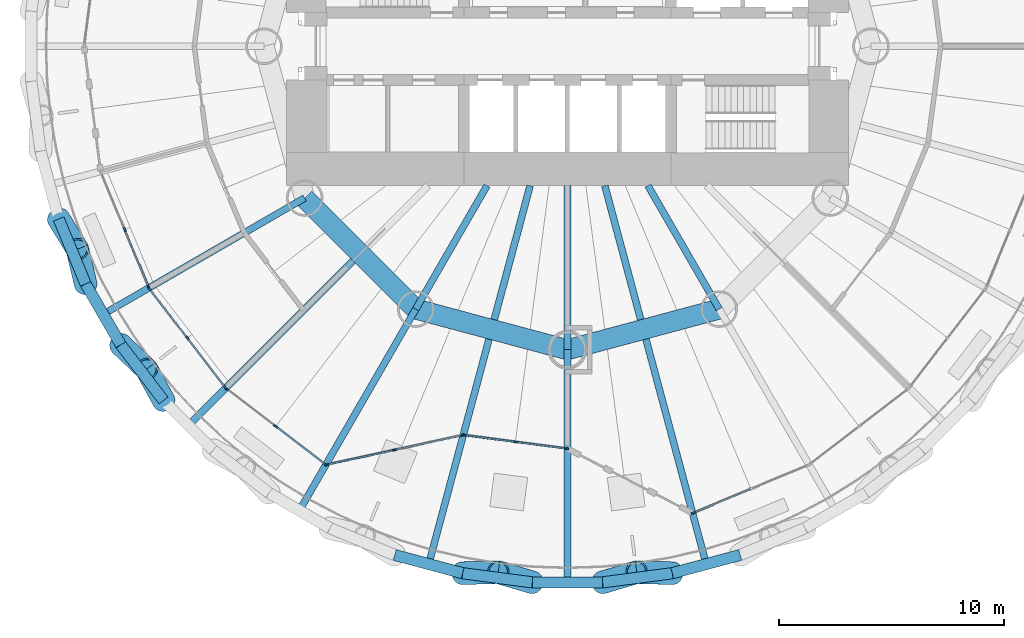
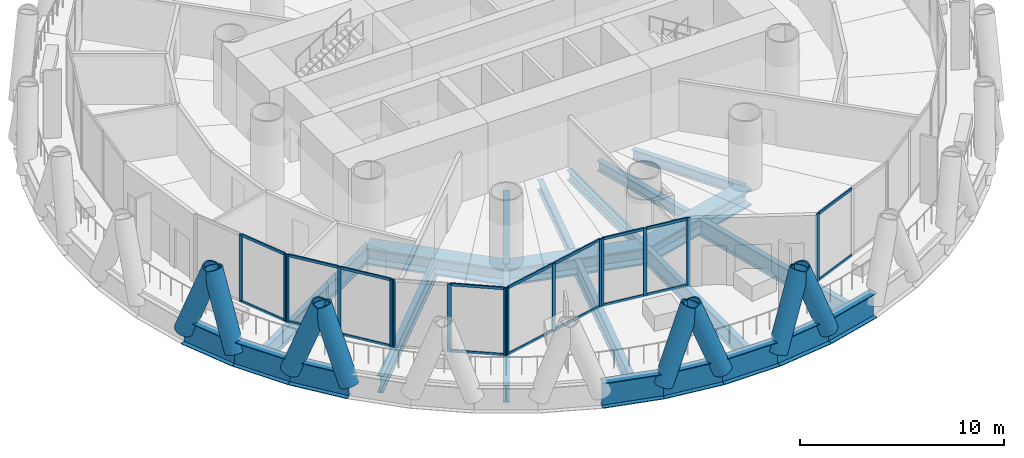
# One storey, part 2 of 15: 41 members, 22 beams, 6 elements without a shape of their own.
"""IFC4 building model written with IfcOpenShell, lengths in metres."""

import ifcopenshell
import ifcopenshell.guid

model = None  # the IFC model being written
_history = None  # IfcOwnerHistory: only IFC2X3 demands one
_inside = {}  # id of a spatial element -> (the spatial element, [elements in it])
_under = {}  # id of a project, library or spatial element -> (it, [spatial elements below it])
_declared = {}  # id of a project -> (the project, [libraries it declares])
_typed = {}  # id of a type object -> (the type object, [elements of that type])
_made_of = {}  # id of a material, layer set ... -> (it, [elements and type objects made of it])


def new_model(schema):
    """Start an empty IFC model of exactly this schema.

    Asked for "IFC4X3", IfcOpenShell would pick the latest addendum, in which some entities
    have other attributes; the version numbers below select the first issue.
    IFC2X3 requires an IfcOwnerHistory on every rooted entity: one is made here for all.
    """
    global model, _history
    if schema == "IFC4X3":
        model = ifcopenshell.file(schema_version=(4, 3, 0, 0))
    else:
        model = ifcopenshell.file(schema=schema)
    _inside.clear()
    _under.clear()
    _declared.clear()
    _typed.clear()
    _made_of.clear()
    _history = None
    if model.schema == "IFC2X3":
        org = make("IfcOrganization", Name="unknown")
        user = make(
            "IfcPersonAndOrganization",
            ThePerson=make("IfcPerson", FamilyName="unknown"),
            TheOrganization=org,
        )
        app = make(
            "IfcApplication",
            ApplicationDeveloper=org,
            Version="unknown",
            ApplicationFullName="unknown",
            ApplicationIdentifier="unknown",
        )
        _history = make(
            "IfcOwnerHistory",
            OwningUser=user,
            OwningApplication=app,
            ChangeAction="ADDED",
            CreationDate=0,
        )
    return model


def make(cls, **values):
    """One entity of the class cls with the attributes given. An attribute that is None is left unset."""
    return model.create_entity(
        cls, **{name: value for name, value in values.items() if value is not None}
    )


def rooted(cls, **values):
    """An entity with a GlobalId (a new one), such as an element, a storey or a relation."""
    return make(cls, GlobalId=ifcopenshell.guid.new(), OwnerHistory=_history, **values)


def si_unit(unit_type, name, prefix=None):
    """IfcSIUnit, for example si_unit("LENGTHUNIT", "METRE", prefix="MILLI")."""
    return make("IfcSIUnit", UnitType=unit_type, Prefix=prefix, Name=name)


def assignment(units):
    """IfcUnitAssignment: the units of a project."""
    return None if units is None else make("IfcUnitAssignment", Units=units)


def point(xyz):
    """IfcCartesianPoint."""
    return None if xyz is None else make("IfcCartesianPoint", Coordinates=xyz)


def direction(xyz):
    """IfcDirection."""
    return None if xyz is None else make("IfcDirection", DirectionRatios=xyz)


def frame(location, z_axis=None, x_axis=None):
    """IfcAxis2Placement3D, a coordinate frame: its origin and axes. An axis left out is left unset."""
    return make(
        "IfcAxis2Placement3D",
        Location=point(location),
        Axis=direction(z_axis),
        RefDirection=direction(x_axis),
    )


def frame_2d(location, x_axis=None):
    """IfcAxis2Placement2D, a coordinate frame in the plane: its origin and x axis."""
    return make(
        "IfcAxis2Placement2D", Location=point(location), RefDirection=direction(x_axis)
    )


def origin():
    """The frame at (0, 0, 0) with its axes left unset."""
    return frame((0.0, 0.0, 0.0))


def origin_2d():
    """The frame at (0, 0) in the plane with its x axis left unset."""
    return frame_2d((0.0, 0.0))


def place(relative_to, where):
    """IfcLocalPlacement: puts the frame where relative to a parent placement (None: the world)."""
    return make(
        "IfcLocalPlacement", PlacementRelTo=relative_to, RelativePlacement=where
    )


def context(
    kind, dimensions, precision=None, world=None, true_north=None, identifier=None
):
    """IfcGeometricRepresentationContext, for example the 3D "Model" context."""
    return make(
        "IfcGeometricRepresentationContext",
        ContextIdentifier=identifier,
        ContextType=kind,
        CoordinateSpaceDimension=dimensions,
        Precision=precision,
        WorldCoordinateSystem=world,
        TrueNorth=true_north,
    )


def subcontext(parent, identifier, kind, view, scale=None):
    """IfcGeometricRepresentationSubContext, for example "Body" below "Model"."""
    return make(
        "IfcGeometricRepresentationSubContext",
        ContextIdentifier=identifier,
        ContextType=kind,
        ParentContext=parent,
        TargetScale=scale,
        TargetView=view,
    )


def project(units=None, contexts=None):
    """IfcProject with its units and contexts."""
    return rooted(
        "IfcProject",
        Name="project",
        RepresentationContexts=contexts,
        UnitsInContext=assignment(units),
    )


def spatial(cls, under=None, at=None, **own):
    """A site, building, storey or space (cls), placed at a placement, below another one or the project."""
    s = rooted(cls, ObjectPlacement=at, **own)
    if under is not None:
        _under.setdefault(under.id(), (under, []))[1].append(s)
    return s


def profile(cls, at=None, kind="AREA", **sizes):
    """A parametric profile (cls). Its sizes go by their IFC names, for example OverallWidth=200.0."""
    return make(cls, ProfileType=kind, Position=at, **sizes)


def rectangle(**sizes):
    """IfcRectangleProfileDef."""
    return profile("IfcRectangleProfileDef", **sizes)


def hollow_circle(**sizes):
    """IfcCircleHollowProfileDef."""
    return profile("IfcCircleHollowProfileDef", **sizes)


def i_section(**sizes):
    """IfcIShapeProfileDef."""
    return profile("IfcIShapeProfileDef", **sizes)


def extrude(swept, where, along, depth):
    """IfcExtrudedAreaSolid: the profile swept, set in the frame where, extruded along a direction by depth."""
    return make(
        "IfcExtrudedAreaSolid",
        SweptArea=swept,
        Position=where,
        ExtrudedDirection=direction(along),
        Depth=depth,
    )


def shape(context_of_items, identifier, shape_type, items):
    """IfcShapeRepresentation: the items that make up one representation, for example the "Body"."""
    return make(
        "IfcShapeRepresentation",
        ContextOfItems=context_of_items,
        RepresentationIdentifier=identifier,
        RepresentationType=shape_type,
        Items=items,
    )


def material(Name=None, Category=None):
    """IfcMaterial."""
    return make("IfcMaterial", Name=Name, Category=Category)


def material_profile(
    of_material, cross_section, Name=None, Category=None, Priority=None
):
    """IfcMaterialProfile: a cross section and its material."""
    return make(
        "IfcMaterialProfile",
        Name=Name,
        Material=of_material,
        Profile=cross_section,
        Priority=Priority,
        Category=Category,
    )


def profile_set(profiles, Name=None, composite=None):
    """IfcMaterialProfileSet."""
    return make(
        "IfcMaterialProfileSet",
        Name=Name,
        MaterialProfiles=profiles,
        CompositeProfile=composite,
    )


def made_of(thing, what):
    """Note that an element or type object is made of a material, layer set ...; save() writes the relation."""
    if what is not None:
        _made_of.setdefault(what.id(), (what, []))[1].append(thing)
    return thing


def type_object(cls, material=None, **own):
    """A type object (cls), such as IfcWallType, which elements share."""
    return made_of(rooted(cls, **own), material)


def element(
    cls,
    number,
    at=None,
    inside=None,
    cuts=None,
    type_object=None,
    material=None,
    context=None,
    identifier="Body",
    shape_type=None,
    held_by="IfcProductDefinitionShape",
    body=None,
    shapes=None,
    **own,
):
    """One element of the class cls, such as IfcWall. Its Tag is "e" and its number.

    at: its placement. inside: the storey or other place that contains it. cuts: it is an
    opening in that element (IfcRelVoidsElement). A single representation is given by context,
    identifier, shape_type and body (its items); several are given by shapes. held_by: the class
    of the entity that holds the representations. save() writes the other relations.
    """
    e = rooted(cls, Tag="e%d" % number, ObjectPlacement=at, **own)
    if body is not None:
        shapes = [shape(context, identifier, shape_type, body)]
    if shapes is not None:
        e.Representation = make(held_by, Representations=shapes)
    if inside is not None:
        _inside.setdefault(inside.id(), (inside, []))[1].append(e)
    if cuts is not None:
        rooted(
            "IfcRelVoidsElement", RelatingBuildingElement=cuts, RelatedOpeningElement=e
        )
    if type_object is not None:
        _typed.setdefault(type_object.id(), (type_object, []))[1].append(e)
    return made_of(e, material)


def aggregate(whole, parts):
    """IfcRelAggregates: a whole, such as a stair, and the parts it consists of."""
    return rooted("IfcRelAggregates", RelatingObject=whole, RelatedObjects=parts)


def save(model, path):
    """Write the relations noted so far, then the file.

    IfcRelAggregates (storeys below a building ...), IfcRelContainedInSpatialStructure (elements
    in a storey), IfcRelDefinesByType, IfcRelAssociatesMaterial and IfcRelDeclares: one each for
    every whole, place, type object, material and project.
    """
    for whole, parts in _under.values():
        aggregate(whole, parts)
    for where, things in _inside.values():
        rooted(
            "IfcRelContainedInSpatialStructure",
            RelatedElements=things,
            RelatingStructure=where,
        )
    for kind, things in _typed.values():
        rooted("IfcRelDefinesByType", RelatedObjects=things, RelatingType=kind)
    for what, things in _made_of.values():
        rooted("IfcRelAssociatesMaterial", RelatedObjects=things, RelatingMaterial=what)
    for by, libraries in _declared.values():
        rooted("IfcRelDeclares", RelatingContext=by, RelatedDefinitions=libraries)
    model.write(path)


model = new_model("IFC4")

# Units and contexts
model_context = context("Model", 3, precision=1e-05, world=origin(), true_north=direction((0.0, 1.0)))
body_context = subcontext(model_context, "Body", "Model", "MODEL_VIEW")
ifc_project = project(units=[si_unit("LENGTHUNIT", "METRE"), si_unit("AREAUNIT", "SQUARE_METRE"), si_unit("VOLUMEUNIT", "CUBIC_METRE"), si_unit("PLANEANGLEUNIT", "RADIAN"), si_unit("MASSUNIT", "GRAM", prefix="KILO")], contexts=[model_context])

# Site, building, storey
site_placement = place(None, origin())
site = spatial("IfcSite", under=ifc_project, at=site_placement, CompositionType="ELEMENT")
building_placement = place(site_placement, origin())
building = spatial("IfcBuilding", under=site, at=building_placement, Name="Qaws Media Tower", CompositionType="ELEMENT")
storey_placement = place(building_placement, frame((0.0, 0.0, 198.199951171875)))
storey = spatial("IfcBuildingStorey", under=building, at=storey_placement, Name="L45", CompositionType="ELEMENT", Elevation=198.199951171875)

# Curtain wall, members
ifc_material_1 = material(Name="Aluminium and clear glass", Category="aluminium")
curtain_wall_type_1 = type_object("IfcCurtainWallType", Name="Unitised curtain wall CW-C", PredefinedType="NOTDEFINED", material=ifc_material_1)
curtain_wall_1_placement = place(storey_placement, origin())
curtain_wall_1 = element("IfcCurtainWall", 1, at=curtain_wall_1_placement, inside=storey, type_object=curtain_wall_type_1, Name="CWC curtain wall L45-14", PredefinedType="NOTDEFINED")
ifc_material_2 = material(Name="Aluminium mullion", Category="aluminium")
ifc_material_profile_1 = material_profile(ifc_material_2, rectangle(XDim=0.080078125, YDim=0.199951171875, at=origin_2d()), Name="80x200")
ifc_profile_set_1 = profile_set([ifc_material_profile_1], Name="Aluminium mullion")
member_type_1 = type_object("IfcMemberType", Name="Curtain wall mullion 80x200", PredefinedType="MULLION", material=ifc_profile_set_1)
member_1_placement = place(storey_placement, frame((40.306640625, 41.8427734375, 0.0), z_axis=(0.0, 0.0, 1.0), x_axis=(0.923879550051, 0.382683390022, 0.0)))
member_1 = element("IfcMember", 2, at=member_1_placement, type_object=member_type_1, Name="CWC mullion 2", PredefinedType="MULLION", context=body_context, shape_type="SweptSolid", body=[
    extrude(rectangle(XDim=0.080078125, YDim=0.199951171875, at=origin_2d()), origin(), (0.0, 0.0, 1.0), 4.0400390625),
])
member_2_placement = place(storey_placement, frame((41.365234375, 39.286865234375, 0.0), z_axis=(0.0, 0.0, 1.0), x_axis=(0.923879550051, 0.382683390022, 0.0)))
member_2 = element("IfcMember", 3, at=member_2_placement, type_object=member_type_1, Name="CWC mullion 3", PredefinedType="MULLION", context=body_context, shape_type="SweptSolid", body=[
    extrude(rectangle(XDim=0.080078125, YDim=0.199951171875, at=origin_2d()), origin(), (0.0, 0.0, 1.0), 4.0400390625),
])

curtain_wall_2_placement = place(storey_placement, origin())
curtain_wall_2 = element("IfcCurtainWall", 4, at=curtain_wall_2_placement, inside=storey, type_object=curtain_wall_type_1, Name="CWC curtain wall L45-15", PredefinedType="NOTDEFINED")
member_3_placement = place(storey_placement, frame((41.40478515625, 39.21826171875, 0.0), z_axis=(0.0, 0.0, 1.0), x_axis=(0.793353386998, 0.608761368139, 0.0)))
member_3 = element("IfcMember", 5, at=member_3_placement, type_object=member_type_1, Name="CWC mullion 1", PredefinedType="MULLION", context=body_context, shape_type="SweptSolid", body=[
    extrude(rectangle(XDim=0.080078125, YDim=0.199951171875, at=origin_2d()), origin(), (0.0, 0.0, 1.0), 4.0400390625),
])
member_4_placement = place(storey_placement, frame((43.0888671875, 37.023681640625, 0.0), z_axis=(0.0, 0.0, 1.0), x_axis=(0.793353386998, 0.608761368139, 0.0)))
member_4 = element("IfcMember", 6, at=member_4_placement, type_object=member_type_1, Name="CWC mullion 2", PredefinedType="MULLION", context=body_context, shape_type="SweptSolid", body=[
    extrude(rectangle(XDim=0.080078125, YDim=0.199951171875, at=origin_2d()), origin(), (0.0, 0.0, 1.0), 4.0400390625),
])
member_5_placement = place(storey_placement, frame((44.77294921875, 34.828857421875, 0.0), z_axis=(0.0, 0.0, 1.0), x_axis=(0.793353386998, 0.608761368139, 0.0)))
member_5 = element("IfcMember", 7, at=member_5_placement, type_object=member_type_1, Name="CWC mullion 3", PredefinedType="MULLION", context=body_context, shape_type="SweptSolid", body=[
    extrude(rectangle(XDim=0.080078125, YDim=0.199951171875, at=origin_2d()), origin(), (0.0, 0.0, 1.0), 4.0400390625),
])

curtain_wall_3_placement = place(storey_placement, origin())
curtain_wall_3 = element("IfcCurtainWall", 8, at=curtain_wall_3_placement, inside=storey, type_object=curtain_wall_type_1, Name="CWC curtain wall L45-16", PredefinedType="NOTDEFINED")
member_6_placement = place(storey_placement, frame((44.828857421875, 34.77294921875, 0.0), z_axis=(0.0, 0.0, 1.0), x_axis=(0.608761368139, 0.793353386998, 0.0)))
member_6 = element("IfcMember", 9, at=member_6_placement, type_object=member_type_1, Name="CWC mullion 1", PredefinedType="MULLION", context=body_context, shape_type="SweptSolid", body=[
    extrude(rectangle(XDim=0.080078125, YDim=0.199951171875, at=origin_2d()), origin(), (0.0, 0.0, 1.0), 4.0400390625),
])
member_7_placement = place(storey_placement, frame((47.023681640625, 33.0888671875, 0.0), z_axis=(0.0, 0.0, 1.0), x_axis=(0.608761368139, 0.793353386998, 0.0)))
member_7 = element("IfcMember", 10, at=member_7_placement, type_object=member_type_1, Name="CWC mullion 2", PredefinedType="MULLION", context=body_context, shape_type="SweptSolid", body=[
    extrude(rectangle(XDim=0.080078125, YDim=0.199951171875, at=origin_2d()), origin(), (0.0, 0.0, 1.0), 4.0400390625),
])
member_8_placement = place(storey_placement, frame((49.21826171875, 31.40478515625, 0.0), z_axis=(0.0, 0.0, 1.0), x_axis=(0.608761368139, 0.793353386998, 0.0)))
member_8 = element("IfcMember", 11, at=member_8_placement, type_object=member_type_1, Name="CWC mullion 3", PredefinedType="MULLION", context=body_context, shape_type="SweptSolid", body=[
    extrude(rectangle(XDim=0.080078125, YDim=0.199951171875, at=origin_2d()), origin(), (0.0, 0.0, 1.0), 4.0400390625),
])

ifc_material_3 = material(Name="Aluminium and clear glass", Category="aluminium")
curtain_wall_type_2 = type_object("IfcCurtainWallType", Name="Loggia curtain wall CW-G", PredefinedType="NOTDEFINED", material=ifc_material_3)
curtain_wall_4_placement = place(storey_placement, origin())
curtain_wall_4 = element("IfcCurtainWall", 12, at=curtain_wall_4_placement, inside=storey, type_object=curtain_wall_type_2, Name="CWG curtain wall L45-17", PredefinedType="NOTDEFINED")
member_9_placement = place(storey_placement, frame((49.2890625, 31.388916015625, 0.0), z_axis=(0.0, 0.0, 1.0), x_axis=(-0.212377960475, 0.977187598112, 0.0)))
member_9 = element("IfcMember", 13, at=member_9_placement, type_object=member_type_1, Name="CWG mullion 1", PredefinedType="MULLION", context=body_context, shape_type="SweptSolid", body=[
    extrude(rectangle(XDim=0.080078125, YDim=0.199951171875, at=origin_2d()), origin(), (0.0, 0.0, 1.0), 4.0400390625),
])
member_10_placement = place(storey_placement, frame((52.30859375, 32.045166015625, 0.0), z_axis=(0.0, 0.0, 1.0), x_axis=(-0.212377960475, 0.977187598112, 0.0)))
member_10 = element("IfcMember", 14, at=member_10_placement, type_object=member_type_1, Name="CWG mullion 2", PredefinedType="MULLION", context=body_context, shape_type="SweptSolid", body=[
    extrude(rectangle(XDim=0.080078125, YDim=0.199951171875, at=origin_2d()), origin(), (0.0, 0.0, 1.0), 4.0400390625),
])
member_11_placement = place(storey_placement, frame((55.328125, 32.701416015625, 0.0), z_axis=(0.0, 0.0, 1.0), x_axis=(-0.212377960475, 0.977187598112, 0.0)))
member_11 = element("IfcMember", 15, at=member_11_placement, type_object=member_type_1, Name="CWG mullion 3", PredefinedType="MULLION", context=body_context, shape_type="SweptSolid", body=[
    extrude(rectangle(XDim=0.080078125, YDim=0.199951171875, at=origin_2d()), origin(), (0.0, 0.0, 1.0), 4.0400390625),
])

curtain_wall_5_placement = place(storey_placement, origin())
curtain_wall_5 = element("IfcCurtainWall", 16, at=curtain_wall_5_placement, inside=storey, type_object=curtain_wall_type_2, Name="CWG curtain wall L45-18", PredefinedType="NOTDEFINED")
member_12_placement = place(storey_placement, frame((55.40673828125, 32.70458984375, 0.0), z_axis=(0.0, 0.0, 1.0), x_axis=(0.130526250777, 0.991444853665, 0.0)))
member_12 = element("IfcMember", 17, at=member_12_placement, type_object=member_type_1, Name="CWG mullion 1", PredefinedType="MULLION", context=body_context, shape_type="SweptSolid", body=[
    extrude(rectangle(XDim=0.080078125, YDim=0.199951171875, at=origin_2d()), origin(), (0.0, 0.0, 1.0), 4.0400390625),
])
member_13_placement = place(storey_placement, frame((57.68359375, 32.405029296875, 0.0), z_axis=(0.0, 0.0, 1.0), x_axis=(0.130526250777, 0.991444853665, 0.0)))
member_13 = element("IfcMember", 18, at=member_13_placement, type_object=member_type_1, Name="CWG mullion 2", PredefinedType="MULLION", context=body_context, shape_type="SweptSolid", body=[
    extrude(rectangle(XDim=0.080078125, YDim=0.199951171875, at=origin_2d()), origin(), (0.0, 0.0, 1.0), 4.0400390625),
])
member_14_placement = place(storey_placement, frame((59.96044921875, 32.105224609375, 0.0), z_axis=(0.0, 0.0, 1.0), x_axis=(0.130526250777, 0.991444853665, 0.0)))
member_14 = element("IfcMember", 19, at=member_14_placement, type_object=member_type_1, Name="CWG mullion 3", PredefinedType="MULLION", context=body_context, shape_type="SweptSolid", body=[
    extrude(rectangle(XDim=0.080078125, YDim=0.199951171875, at=origin_2d()), origin(), (0.0, 0.0, 1.0), 4.0400390625),
])

# Curtain wall, member
curtain_wall_6_placement = place(storey_placement, origin())
curtain_wall_6 = element("IfcCurtainWall", 20, at=curtain_wall_6_placement, inside=storey, type_object=curtain_wall_type_1, Name="CWC curtain wall L45-20", PredefinedType="NOTDEFINED")
member_15_placement = place(storey_placement, frame((65.6015625, 29.247802734375, 0.0), z_axis=(0.0, 0.0, 1.0), x_axis=(-0.382683390022, 0.923879550051, 0.0)))
member_15 = element("IfcMember", 21, at=member_15_placement, type_object=member_type_1, Name="CWC mullion 1", PredefinedType="MULLION", context=body_context, shape_type="SweptSolid", body=[
    extrude(rectangle(XDim=0.080078125, YDim=0.199951171875, at=origin_2d()), origin(), (0.0, 0.0, 1.0), 4.0400390625),
])

# Member
ifc_material_4 = material(Name="Aluminium transom", Category="aluminium")
ifc_material_profile_2 = material_profile(ifc_material_4, rectangle(XDim=0.080078125, YDim=0.159912109375, at=origin_2d()), Name="80x160")
ifc_profile_set_2 = profile_set([ifc_material_profile_2], Name="Aluminium transom")
member_type_2 = type_object("IfcMemberType", Name="Curtain wall transom 80x160", PredefinedType="USERDEFINED", material=ifc_profile_set_2)
member_16_placement = place(storey_placement, frame((40.32177734375, 41.8056640625, 0.0400390625), z_axis=(0.382723705006, -0.923862850009, 0.0), x_axis=(0.923862850009, 0.382723705006, 0.0)))
member_16 = element("IfcMember", 22, at=member_16_placement, type_object=member_type_2, Name="CWC transom 2.1", ObjectType="TRANSOM", PredefinedType="USERDEFINED", context=body_context, shape_type="SweptSolid", body=[
    extrude(rectangle(XDim=0.080078125, YDim=0.159912109375, at=origin_2d()), origin(), (0.0, 0.0, 1.0), 2.686279296875),
])

member_17_placement = place(storey_placement, frame((40.32177734375, 41.8056640625, 4.0), z_axis=(0.382723705006, -0.923862850009, 0.0), x_axis=(0.923862850009, 0.382723705006, 0.0)))
member_17 = element("IfcMember", 23, at=member_17_placement, type_object=member_type_2, Name="CWC transom 2.2", ObjectType="TRANSOM", PredefinedType="USERDEFINED", context=body_context, shape_type="SweptSolid", body=[
    extrude(rectangle(XDim=0.080078125, YDim=0.159912109375, at=origin_2d()), origin(), (0.0, 0.0, 1.0), 2.686279296875),
])

aggregate(curtain_wall_1, [member_1, member_2, member_16, member_17])

member_18_placement = place(storey_placement, frame((41.42919921875, 39.1865234375, 0.0400390625), z_axis=(0.608761584717, -0.793353220812, 0.0), x_axis=(0.793353220812, 0.608761584717, 0.0)))
member_18 = element("IfcMember", 24, at=member_18_placement, type_object=member_type_2, Name="CWC transom 1.1", ObjectType="TRANSOM", PredefinedType="USERDEFINED", context=body_context, shape_type="SweptSolid", body=[
    extrude(rectangle(XDim=0.080078125, YDim=0.159912109375, at=origin_2d()), origin(), (0.0, 0.0, 1.0), 2.686279296875),
])

member_19_placement = place(storey_placement, frame((41.42919921875, 39.1865234375, 4.0), z_axis=(0.608761584717, -0.793353220812, 0.0), x_axis=(0.793353220812, 0.608761584717, 0.0)))
member_19 = element("IfcMember", 25, at=member_19_placement, type_object=member_type_2, Name="CWC transom 1.2", ObjectType="TRANSOM", PredefinedType="USERDEFINED", context=body_context, shape_type="SweptSolid", body=[
    extrude(rectangle(XDim=0.080078125, YDim=0.159912109375, at=origin_2d()), origin(), (0.0, 0.0, 1.0), 2.686279296875),
])

member_20_placement = place(storey_placement, frame((43.11328125, 36.991943359375, 0.0400390625), z_axis=(0.608717691863, -0.793386899068, 0.0), x_axis=(0.793386899068, 0.608717691863, 0.0)))
member_20 = element("IfcMember", 26, at=member_20_placement, type_object=member_type_2, Name="CWC transom 2.1", ObjectType="TRANSOM", PredefinedType="USERDEFINED", context=body_context, shape_type="SweptSolid", body=[
    extrude(rectangle(XDim=0.080078125, YDim=0.159912109375, at=origin_2d()), origin(), (0.0, 0.0, 1.0), 2.686279296875),
])

member_21_placement = place(storey_placement, frame((43.11328125, 36.991943359375, 4.0), z_axis=(0.608717691863, -0.793386899068, 0.0), x_axis=(0.793386899068, 0.608717691863, 0.0)))
member_21 = element("IfcMember", 27, at=member_21_placement, type_object=member_type_2, Name="CWC transom 2.2", ObjectType="TRANSOM", PredefinedType="USERDEFINED", context=body_context, shape_type="SweptSolid", body=[
    extrude(rectangle(XDim=0.080078125, YDim=0.159912109375, at=origin_2d()), origin(), (0.0, 0.0, 1.0), 2.686279296875),
])

aggregate(curtain_wall_2, [member_3, member_4, member_5, member_18, member_19, member_20, member_21])

member_22_placement = place(storey_placement, frame((47.055419921875, 33.064453125, 0.0400390625), z_axis=(0.793353220812, -0.608761584717, 0.0), x_axis=(0.608761584717, 0.793353220812, 0.0)))
member_22 = element("IfcMember", 28, at=member_22_placement, type_object=member_type_2, Name="CWC transom 2.1", ObjectType="TRANSOM", PredefinedType="USERDEFINED", context=body_context, shape_type="SweptSolid", body=[
    extrude(rectangle(XDim=0.080078125, YDim=0.159912109375, at=origin_2d()), origin(), (0.0, 0.0, 1.0), 2.686279296875),
])

member_23_placement = place(storey_placement, frame((47.055419921875, 33.064453125, 4.0), z_axis=(0.793353220812, -0.608761584717, 0.0), x_axis=(0.608761584717, 0.793353220812, 0.0)))
member_23 = element("IfcMember", 29, at=member_23_placement, type_object=member_type_2, Name="CWC transom 2.2", ObjectType="TRANSOM", PredefinedType="USERDEFINED", context=body_context, shape_type="SweptSolid", body=[
    extrude(rectangle(XDim=0.080078125, YDim=0.159912109375, at=origin_2d()), origin(), (0.0, 0.0, 1.0), 2.686279296875),
])

aggregate(curtain_wall_3, [member_6, member_7, member_8, member_22, member_23])

member_24_placement = place(storey_placement, frame((49.328125, 31.3974609375, 0.0400390625), z_axis=(0.977195392685, 0.212342093132, 0.0), x_axis=(-0.212342093132, 0.977195392685, 0.0)))
member_24 = element("IfcMember", 30, at=member_24_placement, type_object=member_type_2, Name="CWG transom 1.1", ObjectType="TRANSOM", PredefinedType="USERDEFINED", context=body_context, shape_type="SweptSolid", body=[
    extrude(rectangle(XDim=0.080078125, YDim=0.159912109375, at=origin_2d()), origin(), (0.0, 0.0, 1.0), 3.010009765625),
])

member_25_placement = place(storey_placement, frame((49.328125, 31.3974609375, 4.0), z_axis=(0.977195392685, 0.212342093132, 0.0), x_axis=(-0.212342093132, 0.977195392685, 0.0)))
member_25 = element("IfcMember", 31, at=member_25_placement, type_object=member_type_2, Name="CWG transom 1.2", ObjectType="TRANSOM", PredefinedType="USERDEFINED", context=body_context, shape_type="SweptSolid", body=[
    extrude(rectangle(XDim=0.080078125, YDim=0.159912109375, at=origin_2d()), origin(), (0.0, 0.0, 1.0), 3.010009765625),
])

member_26_placement = place(storey_placement, frame((52.34765625, 32.0537109375, 0.0400390625), z_axis=(0.977195392685, 0.212342093132, 0.0), x_axis=(-0.212342093132, 0.977195392685, 0.0)))
member_26 = element("IfcMember", 32, at=member_26_placement, type_object=member_type_2, Name="CWG transom 2.1", ObjectType="TRANSOM", PredefinedType="USERDEFINED", context=body_context, shape_type="SweptSolid", body=[
    extrude(rectangle(XDim=0.080078125, YDim=0.159912109375, at=origin_2d()), origin(), (0.0, 0.0, 1.0), 3.010009765625),
])

member_27_placement = place(storey_placement, frame((52.34765625, 32.0537109375, 4.0), z_axis=(0.977195392685, 0.212342093132, 0.0), x_axis=(-0.212342093132, 0.977195392685, 0.0)))
member_27 = element("IfcMember", 33, at=member_27_placement, type_object=member_type_2, Name="CWG transom 2.2", ObjectType="TRANSOM", PredefinedType="USERDEFINED", context=body_context, shape_type="SweptSolid", body=[
    extrude(rectangle(XDim=0.080078125, YDim=0.159912109375, at=origin_2d()), origin(), (0.0, 0.0, 1.0), 3.010009765625),
])

aggregate(curtain_wall_4, [member_9, member_10, member_11, member_24, member_25, member_26, member_27])

member_28_placement = place(storey_placement, frame((55.446533203125, 32.699462890625, 0.0400390625), z_axis=(0.991443043354, -0.130540000708, 0.0), x_axis=(0.130540000708, 0.991443043354, 0.0)))
member_28 = element("IfcMember", 34, at=member_28_placement, type_object=member_type_2, Name="CWG transom 1.1", ObjectType="TRANSOM", PredefinedType="USERDEFINED", context=body_context, shape_type="SweptSolid", body=[
    extrude(rectangle(XDim=0.080078125, YDim=0.159912109375, at=origin_2d()), origin(), (0.0, 0.0, 1.0), 2.21630859375),
])

member_29_placement = place(storey_placement, frame((55.446533203125, 32.699462890625, 4.0), z_axis=(0.991443043354, -0.130540000708, 0.0), x_axis=(0.130540000708, 0.991443043354, 0.0)))
member_29 = element("IfcMember", 35, at=member_29_placement, type_object=member_type_2, Name="CWG transom 1.2", ObjectType="TRANSOM", PredefinedType="USERDEFINED", context=body_context, shape_type="SweptSolid", body=[
    extrude(rectangle(XDim=0.080078125, YDim=0.159912109375, at=origin_2d()), origin(), (0.0, 0.0, 1.0), 2.21630859375),
])

member_30_placement = place(storey_placement, frame((57.72314453125, 32.399658203125, 0.0400390625), z_axis=(0.991444920255, -0.130525744973, 0.0), x_axis=(0.130525744973, 0.991444920255, 0.0)))
member_30 = element("IfcMember", 36, at=member_30_placement, type_object=member_type_2, Name="CWG transom 2.1", ObjectType="TRANSOM", PredefinedType="USERDEFINED", context=body_context, shape_type="SweptSolid", body=[
    extrude(rectangle(XDim=0.080078125, YDim=0.159912109375, at=origin_2d()), origin(), (0.0, 0.0, 1.0), 2.216552734375),
])

member_31_placement = place(storey_placement, frame((57.72314453125, 32.399658203125, 4.0), z_axis=(0.991444920255, -0.130525744973, 0.0), x_axis=(0.130525744973, 0.991444920255, 0.0)))
member_31 = element("IfcMember", 37, at=member_31_placement, type_object=member_type_2, Name="CWG transom 2.2", ObjectType="TRANSOM", PredefinedType="USERDEFINED", context=body_context, shape_type="SweptSolid", body=[
    extrude(rectangle(XDim=0.080078125, YDim=0.159912109375, at=origin_2d()), origin(), (0.0, 0.0, 1.0), 2.216552734375),
])

aggregate(curtain_wall_5, [member_12, member_13, member_14, member_28, member_29, member_30, member_31])

member_32_placement = place(storey_placement, frame((65.638427734375, 29.26318359375, 0.0400390625), z_axis=(0.923876161176, 0.382691571386, 0.0), x_axis=(-0.382691571386, 0.923876161176, 0.0)))
member_32 = element("IfcMember", 38, at=member_32_placement, type_object=member_type_2, Name="CWC transom 1.1", ObjectType="TRANSOM", PredefinedType="USERDEFINED", context=body_context, shape_type="SweptSolid", body=[
    extrude(rectangle(XDim=0.080078125, YDim=0.159912109375, at=origin_2d()), origin(), (0.0, 0.0, 1.0), 2.6865234375),
])

member_33_placement = place(storey_placement, frame((65.638427734375, 29.26318359375, 4.0), z_axis=(0.923876161176, 0.382691571386, 0.0), x_axis=(-0.382691571386, 0.923876161176, 0.0)))
member_33 = element("IfcMember", 39, at=member_33_placement, type_object=member_type_2, Name="CWC transom 1.2", ObjectType="TRANSOM", PredefinedType="USERDEFINED", context=body_context, shape_type="SweptSolid", body=[
    extrude(rectangle(XDim=0.080078125, YDim=0.159912109375, at=origin_2d()), origin(), (0.0, 0.0, 1.0), 2.6865234375),
])

aggregate(curtain_wall_6, [member_15, member_32, member_33])

# Members
ifc_material_5 = material(Name="Steel S460", Category="steel")
ifc_material_profile_3 = material_profile(ifc_material_5, hollow_circle(Radius=0.508056640625, WallThickness=0.070068359375, at=origin_2d()), Name="CHS 1016x70")
ifc_profile_set_3 = profile_set([ifc_material_profile_3], Name="Steel S460")
member_type_3 = type_object("IfcMemberType", Name="Diagrid member CHS 1016x70", PredefinedType="USERDEFINED", material=ifc_profile_set_3)
for number, where, z_axis, x_axis, name in (
    (40, (37.368408203125, 42.317626953125, -0.909912109375), (0.184507437707, -0.300531719733, 0.935755144717), (0.85220863007, 0.523202112796, 0.0), "DG3 diagrid L45 A14"),
    (41, (40.1279296875, 36.721923828125, -0.909912109375), (0.255983134408, -0.24254755553, 0.935758151557), (0.687800265926, 0.725899989111, 0.0), "DG3 diagrid L45 A15"),
    (42, (38.564697265625, 39.42919921875, -0.909912109375), (-0.082026460481, 0.343009853976, 0.935743501103), (-0.972577374839, -0.232579556178, 0.0), "DG3 diagrid L45 B15"),
    (43, (42.031005859375, 34.24169921875, -0.909912109375), (-0.168025631543, 0.310050534086, 0.935754269805), (-0.879195053655, -0.476462021182, 0.0), "DG3 diagrid L45 B16"),
    (44, (55.33740234375, 26.559326171875, -0.909912109375), (0.352532001786, 0.009464676487, 0.935751894263), (-0.026838038008, 0.999639794984, 0.0), "DG3 diagrid L45 A18"),
    (45, (61.563232421875, 26.151123046875, -0.909912109375), (0.338014682134, 0.100414403479, 0.935768679876), (-0.284771064852, 0.958595556334, 0.0), "DG3 diagrid L45 A19"),
    (46, (58.436767578125, 26.151123046875, -0.909912109375), (-0.338014682134, 0.100414403479, 0.935768679876), (-0.284771064852, -0.958595556334, 0.0), "DG3 diagrid L45 B19"),
    (47, (64.66259765625, 26.559326171875, -0.909912109375), (-0.352532001786, 0.009464676487, 0.935751894263), (-0.026838038008, -0.999639794984, 0.0), "DG3 diagrid L45 B20"),
):
    element("IfcMember", number, at=place(storey_placement, frame(where, z_axis=z_axis, x_axis=x_axis)), inside=storey, type_object=member_type_3, Name=name, ObjectType="DIAGRID", PredefinedType="USERDEFINED", context=body_context, shape_type="SweptSolid", body=[
        extrude(hollow_circle(Radius=0.508056640625, WallThickness=0.070068359375, at=origin_2d()), origin(), (0.0, 0.0, 1.0), 4.48828125),
    ])

# Beams
ifc_material_6 = material(Name="Steel S460", Category="steel")
ifc_material_profile_4 = material_profile(ifc_material_6, i_section(OverallWidth=0.5, OverallDepth=1.5, WebThickness=0.02001953125, FlangeThickness=0.0400390625, at=origin_2d()), Name="PG 1500x500")
ifc_profile_set_4 = profile_set([ifc_material_profile_4], Name="Steel S460")
beam_type_1 = type_object("IfcBeamType", Name="Edge ring beam PG 1500x500", PredefinedType="BEAM", material=ifc_profile_set_4)
beam_1_placement = place(storey_placement, frame((37.368408203125, 42.317626953125, -0.909912109375), z_axis=(0.382646061572, -0.923895011115, 0.0), x_axis=(0.923895011115, 0.382646061572, 0.0)))
element("IfcBeam", 48, at=beam_1_placement, inside=storey, type_object=beam_type_1, Name="RB4 edge ring beam L45-27", PredefinedType="BEAM", context=body_context, shape_type="SweptSolid", body=[
    extrude(i_section(OverallWidth=0.5, OverallDepth=1.5, WebThickness=0.02001953125, FlangeThickness=0.0400390625, at=origin_2d()), origin(), (0.0, 0.0, 1.0), 3.12646484375),
])
for number, where, z_axis, x_axis, name in (
    (49, (38.564697265625, 39.42919921875, -0.909912109375), (0.500044681503, -0.86599960537, 0.0), (0.86599960537, 0.500044681503, 0.0), "RB4 edge ring beam L45-28"),
    (50, (40.1279296875, 36.721923828125, -0.909912109375), (0.608747918048, -0.793363707434, 0.0), (0.793363707434, 0.608747918048, 0.0), "RB4 edge ring beam L45-29"),
    (51, (52.317626953125, 27.368408203125, -0.909912109375), (0.965930971662, -0.258799841546, 0.0), (0.258799841546, 0.965930971662, 0.0), "RB4 edge ring beam L45-34"),
    (52, (55.33740234375, 26.559326171875, -0.909912109375), (0.991438073109, -0.130577743855, 0.0), (0.130577743855, 0.991438073109, 0.0), "RB4 edge ring beam L45-35"),
):
    element("IfcBeam", number, at=place(storey_placement, frame(where, z_axis=z_axis, x_axis=x_axis)), inside=storey, type_object=beam_type_1, Name=name, PredefinedType="BEAM", context=body_context, shape_type="SweptSolid", body=[
        extrude(i_section(OverallWidth=0.5, OverallDepth=1.5, WebThickness=0.02001953125, FlangeThickness=0.0400390625, at=origin_2d()), origin(), (0.0, 0.0, 1.0), 3.126220703125),
    ])
beam_2_placement = place(storey_placement, frame((58.436767578125, 26.151123046875, -0.909912109375), z_axis=(1.0, 0.0, 0.0), x_axis=(0.0, 1.0, 0.0)))
element("IfcBeam", 53, at=beam_2_placement, inside=storey, type_object=beam_type_1, Name="RB4 edge ring beam L45-36", PredefinedType="BEAM", context=body_context, shape_type="SweptSolid", body=[
    extrude(i_section(OverallWidth=0.5, OverallDepth=1.5, WebThickness=0.02001953125, FlangeThickness=0.0400390625, at=origin_2d()), origin(), (0.0, 0.0, 1.0), 3.12646484375),
])
for number, where, z_axis, x_axis, name in (
    (54, (61.563232421875, 26.151123046875, -0.909912109375), (0.991438073109, 0.130577743855, 0.0), (-0.130577743855, 0.991438073109, 0.0), "RB4 edge ring beam L45-37"),
    (55, (64.66259765625, 26.559326171875, -0.909912109375), (0.965930971662, 0.258799841546, 0.0), (-0.258799841546, 0.965930971662, 0.0), "RB4 edge ring beam L45-38"),
):
    element("IfcBeam", number, at=place(storey_placement, frame(where, z_axis=z_axis, x_axis=x_axis)), inside=storey, type_object=beam_type_1, Name=name, PredefinedType="BEAM", context=body_context, shape_type="SweptSolid", body=[
        extrude(i_section(OverallWidth=0.5, OverallDepth=1.5, WebThickness=0.02001953125, FlangeThickness=0.0400390625, at=origin_2d()), origin(), (0.0, 0.0, 1.0), 3.126220703125),
    ])
ifc_material_7 = material(Name="Steel S460", Category="steel")
ifc_material_profile_5 = material_profile(ifc_material_7, i_section(OverallWidth=0.89990234375, OverallDepth=1.0, WebThickness=0.044921875, FlangeThickness=0.110107421875, at=origin_2d()), Name="PG 1000x900")
ifc_profile_set_5 = profile_set([ifc_material_profile_5], Name="Steel S460")
beam_type_2 = type_object("IfcBeamType", Name="Inner ring girder PG 1000x900", PredefinedType="BEAM", material=ifc_profile_set_5)
beam_3_placement = place(storey_placement, frame((48.30859375, 43.25, -0.659912109375), z_axis=(0.707106781187, -0.707106781187, 0.0), x_axis=(0.707106781187, 0.707106781187, 0.0)))
element("IfcBeam", 56, at=beam_3_placement, inside=storey, type_object=beam_type_2, Name="B3 inner ring beam L45 I08-I09", PredefinedType="BEAM", context=body_context, shape_type="SweptSolid", body=[
    extrude(i_section(OverallWidth=0.89990234375, OverallDepth=1.0, WebThickness=0.044921875, FlangeThickness=0.110107421875, at=origin_2d()), origin(), (0.0, 0.0, 1.0), 6.98828125),
])
for number, where, z_axis, x_axis, name in (
    (57, (53.25, 38.30859375, -0.659912109375), (0.965928090778, -0.258810593767, 0.0), (0.258810593767, 0.965928090778, 0.0), "B3 inner ring beam L45 I09-I10"),
    (58, (60.0, 36.5, -0.659912109375), (0.965928090778, 0.258810593767, 0.0), (-0.258810593767, 0.965928090778, 0.0), "B3 inner ring beam L45 I10-I11"),
):
    element("IfcBeam", number, at=place(storey_placement, frame(where, z_axis=z_axis, x_axis=x_axis)), inside=storey, type_object=beam_type_2, Name=name, PredefinedType="BEAM", context=body_context, shape_type="SweptSolid", body=[
        extrude(i_section(OverallWidth=0.89990234375, OverallDepth=1.0, WebThickness=0.044921875, FlangeThickness=0.110107421875, at=origin_2d()), origin(), (0.0, 0.0, 1.0), 6.988037109375),
    ])
ifc_material_8 = material(Name="Steel S355", Category="steel")
ifc_material_profile_6 = material_profile(ifc_material_8, i_section(OverallWidth=0.302001953125, OverallDepth=1.008056640625, WebThickness=0.02099609375, FlangeThickness=0.0400390625, FilletRadius=0.030029296875, at=origin_2d()), Name="HE 1000 M")
ifc_profile_set_6 = profile_set([ifc_material_profile_6], Name="Steel S355")
beam_type_3 = type_object("IfcBeamType", Name="Radial beam HE 1000 M", PredefinedType="BEAM", material=ifc_profile_set_6)
beam_4_placement = place(storey_placement, frame((48.30859375, 43.25, -0.6640625), z_axis=(-0.866030801295, -0.499990651121, 0.0), x_axis=(0.499990651121, -0.866030801295, 0.0)))
element("IfcBeam", 59, at=beam_4_placement, inside=storey, type_object=beam_type_3, Name="B1 radial beam L45 15", PredefinedType="BEAM", context=body_context, shape_type="SweptSolid", body=[
    extrude(i_section(OverallWidth=0.302001953125, OverallDepth=1.008056640625, WebThickness=0.02099609375, FlangeThickness=0.0400390625, FilletRadius=0.030029296875, at=origin_2d()), origin(), (0.0, 0.0, 1.0), 10.348876953125),
])
beam_5_placement = place(storey_placement, frame((50.461181640625, 40.461181640625, -0.6640625), z_axis=(-0.707106781187, -0.707106781187, 0.0), x_axis=(0.707106781187, -0.707106781187, 0.0)))
element("IfcBeam", 60, at=beam_5_placement, inside=storey, type_object=beam_type_3, Name="B1 radial beam L45 16", PredefinedType="BEAM", context=body_context, shape_type="SweptSolid", body=[
    extrude(i_section(OverallWidth=0.302001953125, OverallDepth=1.008056640625, WebThickness=0.02099609375, FlangeThickness=0.0400390625, FilletRadius=0.030029296875, at=origin_2d()), origin(), (0.0, 0.0, 1.0), 10.359130859375),
])
beam_6_placement = place(storey_placement, frame((53.25, 38.30859375, -0.6640625), z_axis=(-0.499990651121, -0.866030801295, 0.0), x_axis=(0.866030801295, -0.499990651121, 0.0)))
element("IfcBeam", 61, at=beam_6_placement, inside=storey, type_object=beam_type_3, Name="B1 radial beam L45 17", PredefinedType="BEAM", context=body_context, shape_type="SweptSolid", body=[
    extrude(i_section(OverallWidth=0.302001953125, OverallDepth=1.008056640625, WebThickness=0.02099609375, FlangeThickness=0.0400390625, FilletRadius=0.030029296875, at=origin_2d()), origin(), (0.0, 0.0, 1.0), 10.348876953125),
])
beam_7_placement = place(storey_placement, frame((56.508544921875, 36.9697265625, -0.6640625), z_axis=(-0.25882718776, -0.965923644434, 0.0), x_axis=(0.965923644434, -0.25882718776, 0.0)))
element("IfcBeam", 62, at=beam_7_placement, inside=storey, type_object=beam_type_3, Name="B1 radial beam L45 18", PredefinedType="BEAM", context=body_context, shape_type="SweptSolid", body=[
    extrude(i_section(OverallWidth=0.302001953125, OverallDepth=1.008056640625, WebThickness=0.02099609375, FlangeThickness=0.0400390625, FilletRadius=0.030029296875, at=origin_2d()), origin(), (0.0, 0.0, 1.0), 10.35888671875),
])
beam_8_placement = place(storey_placement, frame((60.0, 36.5, -0.6640625), z_axis=(0.0, -1.0, 0.0), x_axis=(1.0, 0.0, 0.0)))
element("IfcBeam", 63, at=beam_8_placement, inside=storey, type_object=beam_type_3, Name="B1 radial beam L45 19", PredefinedType="BEAM", context=body_context, shape_type="SweptSolid", body=[
    extrude(i_section(OverallWidth=0.302001953125, OverallDepth=1.008056640625, WebThickness=0.02099609375, FlangeThickness=0.0400390625, FilletRadius=0.030029296875, at=origin_2d()), origin(), (0.0, 0.0, 1.0), 10.348876953125),
])
beam_9_placement = place(storey_placement, frame((63.491455078125, 36.9697265625, -0.6640625), z_axis=(0.25882718776, -0.965923644434, 0.0), x_axis=(0.965923644434, 0.25882718776, 0.0)))
element("IfcBeam", 64, at=beam_9_placement, inside=storey, type_object=beam_type_3, Name="B1 radial beam L45 20", PredefinedType="BEAM", context=body_context, shape_type="SweptSolid", body=[
    extrude(i_section(OverallWidth=0.302001953125, OverallDepth=1.008056640625, WebThickness=0.02099609375, FlangeThickness=0.0400390625, FilletRadius=0.030029296875, at=origin_2d()), origin(), (0.0, 0.0, 1.0), 10.35888671875),
])
ifc_material_9 = material(Name="Steel S355", Category="steel")
ifc_material_profile_7 = material_profile(ifc_material_9, i_section(OverallWidth=0.304931640625, OverallDepth=0.6201171875, WebThickness=0.02099609375, FlangeThickness=0.0400390625, FilletRadius=0.027099609375, at=origin_2d()), Name="HE 600 M")
ifc_profile_set_7 = profile_set([ifc_material_profile_7], Name="Steel S355")
beam_type_4 = type_object("IfcBeamType", Name="Radial beam HE 600 M, core side", PredefinedType="BEAM", material=ifc_profile_set_7)
beam_10_placement = place(storey_placement, frame((56.42041015625, 43.800048828125, -0.469970703125), z_axis=(-0.499990193304, -0.866031065609, 0.0), x_axis=(0.866031065609, -0.499990193304, 0.0)))
element("IfcBeam", 65, at=beam_10_placement, inside=storey, type_object=beam_type_4, Name="B2 radial beam L45 17", PredefinedType="BEAM", context=body_context, shape_type="SweptSolid", body=[
    extrude(i_section(OverallWidth=0.304931640625, OverallDepth=0.6201171875, WebThickness=0.02099609375, FlangeThickness=0.0400390625, FilletRadius=0.027099609375, at=origin_2d()), origin(), (0.0, 0.0, 1.0), 6.341064453125),
])
beam_11_placement = place(storey_placement, frame((58.338623046875, 43.800048828125, -0.469970703125), z_axis=(-0.258809910224, -0.965928273926, 0.0), x_axis=(0.965928273926, -0.258809910224, 0.0)))
element("IfcBeam", 66, at=beam_11_placement, inside=storey, type_object=beam_type_4, Name="B2 radial beam L45 18", PredefinedType="BEAM", context=body_context, shape_type="SweptSolid", body=[
    extrude(i_section(OverallWidth=0.304931640625, OverallDepth=0.6201171875, WebThickness=0.02099609375, FlangeThickness=0.0400390625, FilletRadius=0.027099609375, at=origin_2d()), origin(), (0.0, 0.0, 1.0), 6.171142578125),
])
beam_12_placement = place(storey_placement, frame((60.0, 43.800048828125, -0.469970703125), z_axis=(0.0, -1.0, 0.0), x_axis=(1.0, 0.0, 0.0)))
element("IfcBeam", 67, at=beam_12_placement, inside=storey, type_object=beam_type_4, Name="B2 radial beam L45 19", PredefinedType="BEAM", context=body_context, shape_type="SweptSolid", body=[
    extrude(i_section(OverallWidth=0.304931640625, OverallDepth=0.6201171875, WebThickness=0.02099609375, FlangeThickness=0.0400390625, FilletRadius=0.027099609375, at=origin_2d()), origin(), (0.0, 0.0, 1.0), 7.300048828125),
])
beam_13_placement = place(storey_placement, frame((61.661376953125, 43.800048828125, -0.469970703125), z_axis=(0.258809910224, -0.965928273926, 0.0), x_axis=(0.965928273926, 0.258809910224, 0.0)))
element("IfcBeam", 68, at=beam_13_placement, inside=storey, type_object=beam_type_4, Name="B2 radial beam L45 20", PredefinedType="BEAM", context=body_context, shape_type="SweptSolid", body=[
    extrude(i_section(OverallWidth=0.304931640625, OverallDepth=0.6201171875, WebThickness=0.02099609375, FlangeThickness=0.0400390625, FilletRadius=0.027099609375, at=origin_2d()), origin(), (0.0, 0.0, 1.0), 6.171142578125),
])
beam_14_placement = place(storey_placement, frame((63.57958984375, 43.800048828125, -0.469970703125), z_axis=(0.499990193304, -0.866031065609, 0.0), x_axis=(0.866031065609, 0.499990193304, 0.0)))
element("IfcBeam", 69, at=beam_14_placement, inside=storey, type_object=beam_type_4, Name="B2 radial beam L45 21", PredefinedType="BEAM", context=body_context, shape_type="SweptSolid", body=[
    extrude(i_section(OverallWidth=0.304931640625, OverallDepth=0.6201171875, WebThickness=0.02099609375, FlangeThickness=0.0400390625, FilletRadius=0.027099609375, at=origin_2d()), origin(), (0.0, 0.0, 1.0), 6.341064453125),
])

save(model, "model.ifc")
